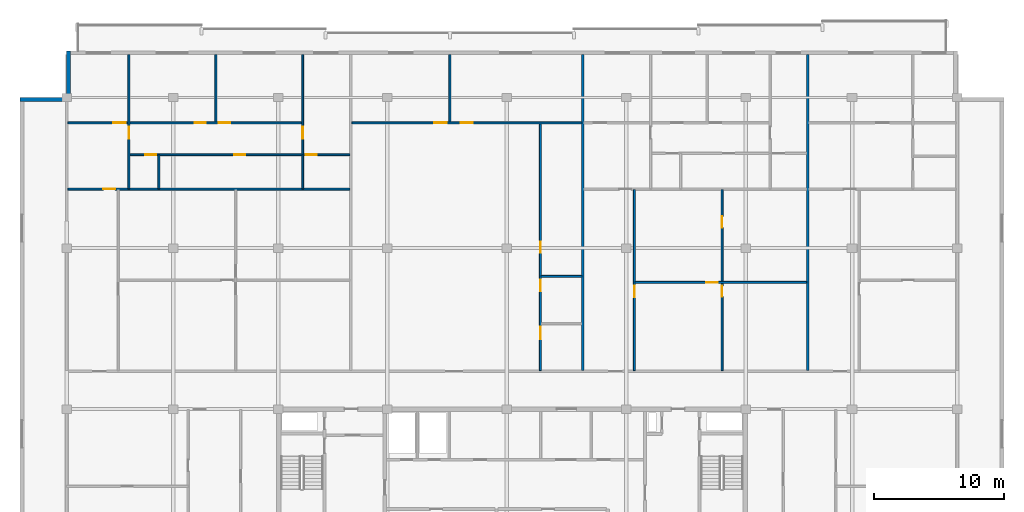
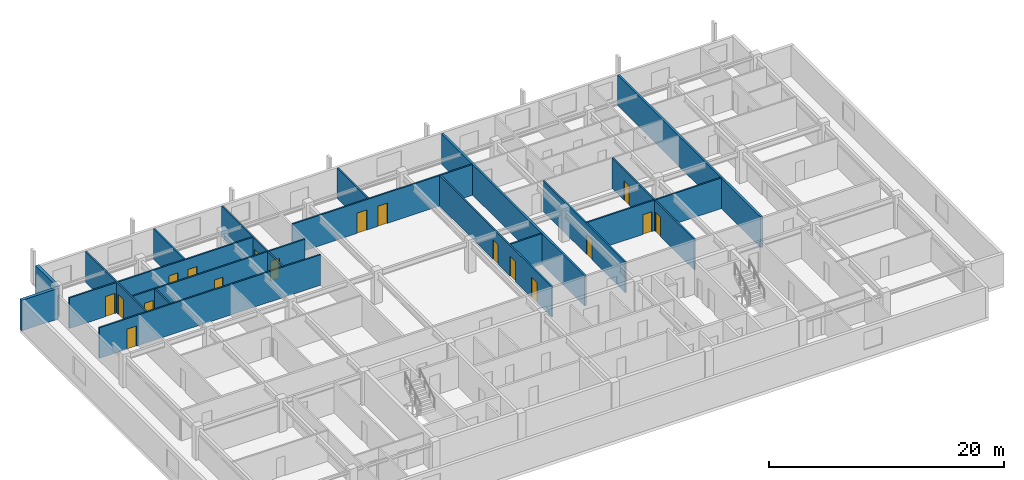
# One storey, part 6 of 10: 19 walls, 18 doors, 18 openings.
"""IFC4 building model written with IfcOpenShell, lengths in metres."""

import ifcopenshell
import ifcopenshell.guid

model = None  # the IFC model being written
_history = None  # IfcOwnerHistory: only IFC2X3 demands one
_inside = {}  # id of a spatial element -> (the spatial element, [elements in it])
_under = {}  # id of a project, library or spatial element -> (it, [spatial elements below it])
_declared = {}  # id of a project -> (the project, [libraries it declares])
_typed = {}  # id of a type object -> (the type object, [elements of that type])
_made_of = {}  # id of a material, layer set ... -> (it, [elements and type objects made of it])


def new_model(schema):
    """Start an empty IFC model of exactly this schema.

    Asked for "IFC4X3", IfcOpenShell would pick the latest addendum, in which some entities
    have other attributes; the version numbers below select the first issue.
    IFC2X3 requires an IfcOwnerHistory on every rooted entity: one is made here for all.
    """
    global model, _history
    if schema == "IFC4X3":
        model = ifcopenshell.file(schema_version=(4, 3, 0, 0))
    else:
        model = ifcopenshell.file(schema=schema)
    _inside.clear()
    _under.clear()
    _declared.clear()
    _typed.clear()
    _made_of.clear()
    _history = None
    if model.schema == "IFC2X3":
        org = make("IfcOrganization", Name="unknown")
        user = make(
            "IfcPersonAndOrganization",
            ThePerson=make("IfcPerson", FamilyName="unknown"),
            TheOrganization=org,
        )
        app = make(
            "IfcApplication",
            ApplicationDeveloper=org,
            Version="unknown",
            ApplicationFullName="unknown",
            ApplicationIdentifier="unknown",
        )
        _history = make(
            "IfcOwnerHistory",
            OwningUser=user,
            OwningApplication=app,
            ChangeAction="ADDED",
            CreationDate=0,
        )
    return model


def make(cls, **values):
    """One entity of the class cls with the attributes given. An attribute that is None is left unset."""
    return model.create_entity(
        cls, **{name: value for name, value in values.items() if value is not None}
    )


def rooted(cls, **values):
    """An entity with a GlobalId (a new one), such as an element, a storey or a relation."""
    return make(cls, GlobalId=ifcopenshell.guid.new(), OwnerHistory=_history, **values)


def si_unit(unit_type, name, prefix=None):
    """IfcSIUnit, for example si_unit("LENGTHUNIT", "METRE", prefix="MILLI")."""
    return make("IfcSIUnit", UnitType=unit_type, Prefix=prefix, Name=name)


def assignment(units):
    """IfcUnitAssignment: the units of a project."""
    return None if units is None else make("IfcUnitAssignment", Units=units)


def point(xyz):
    """IfcCartesianPoint."""
    return None if xyz is None else make("IfcCartesianPoint", Coordinates=xyz)


def direction(xyz):
    """IfcDirection."""
    return None if xyz is None else make("IfcDirection", DirectionRatios=xyz)


def frame(location, z_axis=None, x_axis=None):
    """IfcAxis2Placement3D, a coordinate frame: its origin and axes. An axis left out is left unset."""
    return make(
        "IfcAxis2Placement3D",
        Location=point(location),
        Axis=direction(z_axis),
        RefDirection=direction(x_axis),
    )


def frame_2d(location, x_axis=None):
    """IfcAxis2Placement2D, a coordinate frame in the plane: its origin and x axis."""
    return make(
        "IfcAxis2Placement2D", Location=point(location), RefDirection=direction(x_axis)
    )


def origin():
    """The frame at (0, 0, 0) with its axes left unset."""
    return frame((0.0, 0.0, 0.0))


def place(relative_to, where):
    """IfcLocalPlacement: puts the frame where relative to a parent placement (None: the world)."""
    return make(
        "IfcLocalPlacement", PlacementRelTo=relative_to, RelativePlacement=where
    )


def context(
    kind, dimensions, precision=None, world=None, true_north=None, identifier=None
):
    """IfcGeometricRepresentationContext, for example the 3D "Model" context."""
    return make(
        "IfcGeometricRepresentationContext",
        ContextIdentifier=identifier,
        ContextType=kind,
        CoordinateSpaceDimension=dimensions,
        Precision=precision,
        WorldCoordinateSystem=world,
        TrueNorth=true_north,
    )


def subcontext(parent, identifier, kind, view, scale=None):
    """IfcGeometricRepresentationSubContext, for example "Body" below "Model"."""
    return make(
        "IfcGeometricRepresentationSubContext",
        ContextIdentifier=identifier,
        ContextType=kind,
        ParentContext=parent,
        TargetScale=scale,
        TargetView=view,
    )


def project(units=None, contexts=None):
    """IfcProject with its units and contexts."""
    return rooted(
        "IfcProject",
        Name="project",
        RepresentationContexts=contexts,
        UnitsInContext=assignment(units),
    )


def spatial(cls, under=None, at=None, **own):
    """A site, building, storey or space (cls), placed at a placement, below another one or the project."""
    s = rooted(cls, ObjectPlacement=at, **own)
    if under is not None:
        _under.setdefault(under.id(), (under, []))[1].append(s)
    return s


def profile(cls, at=None, kind="AREA", **sizes):
    """A parametric profile (cls). Its sizes go by their IFC names, for example OverallWidth=200.0."""
    return make(cls, ProfileType=kind, Position=at, **sizes)


def rectangle(**sizes):
    """IfcRectangleProfileDef."""
    return profile("IfcRectangleProfileDef", **sizes)


def extrude(swept, where, along, depth):
    """IfcExtrudedAreaSolid: the profile swept, set in the frame where, extruded along a direction by depth."""
    return make(
        "IfcExtrudedAreaSolid",
        SweptArea=swept,
        Position=where,
        ExtrudedDirection=direction(along),
        Depth=depth,
    )


def shape(context_of_items, identifier, shape_type, items):
    """IfcShapeRepresentation: the items that make up one representation, for example the "Body"."""
    return make(
        "IfcShapeRepresentation",
        ContextOfItems=context_of_items,
        RepresentationIdentifier=identifier,
        RepresentationType=shape_type,
        Items=items,
    )


def material(Name=None, Category=None):
    """IfcMaterial."""
    return make("IfcMaterial", Name=Name, Category=Category)


def layer(
    of_material, thickness, ventilated=None, Name=None, Category=None, Priority=None
):
    """IfcMaterialLayer: one layer of a wall or slab, of a material (None: an air gap)."""
    return make(
        "IfcMaterialLayer",
        Material=of_material,
        LayerThickness=thickness,
        IsVentilated=ventilated,
        Name=Name,
        Category=Category,
        Priority=Priority,
    )


def layer_set(layers, Name=None):
    """IfcMaterialLayerSet."""
    return make("IfcMaterialLayerSet", MaterialLayers=layers, LayerSetName=Name)


def made_of(thing, what):
    """Note that an element or type object is made of a material, layer set ...; save() writes the relation."""
    if what is not None:
        _made_of.setdefault(what.id(), (what, []))[1].append(thing)
    return thing


def type_object(cls, material=None, **own):
    """A type object (cls), such as IfcWallType, which elements share."""
    return made_of(rooted(cls, **own), material)


def element(
    cls,
    number,
    at=None,
    inside=None,
    cuts=None,
    type_object=None,
    material=None,
    context=None,
    identifier="Body",
    shape_type=None,
    held_by="IfcProductDefinitionShape",
    body=None,
    shapes=None,
    **own,
):
    """One element of the class cls, such as IfcWall. Its Tag is "e" and its number.

    at: its placement. inside: the storey or other place that contains it. cuts: it is an
    opening in that element (IfcRelVoidsElement). A single representation is given by context,
    identifier, shape_type and body (its items); several are given by shapes. held_by: the class
    of the entity that holds the representations. save() writes the other relations.
    """
    e = rooted(cls, Tag="e%d" % number, ObjectPlacement=at, **own)
    if body is not None:
        shapes = [shape(context, identifier, shape_type, body)]
    if shapes is not None:
        e.Representation = make(held_by, Representations=shapes)
    if inside is not None:
        _inside.setdefault(inside.id(), (inside, []))[1].append(e)
    if cuts is not None:
        rooted(
            "IfcRelVoidsElement", RelatingBuildingElement=cuts, RelatedOpeningElement=e
        )
    if type_object is not None:
        _typed.setdefault(type_object.id(), (type_object, []))[1].append(e)
    return made_of(e, material)


def fill(opening, filler):
    """IfcRelFillsElement: the door or window that sits in an opening."""
    return rooted(
        "IfcRelFillsElement",
        RelatingOpeningElement=opening,
        RelatedBuildingElement=filler,
    )


def aggregate(whole, parts):
    """IfcRelAggregates: a whole, such as a stair, and the parts it consists of."""
    return rooted("IfcRelAggregates", RelatingObject=whole, RelatedObjects=parts)


def save(model, path):
    """Write the relations noted so far, then the file.

    IfcRelAggregates (storeys below a building ...), IfcRelContainedInSpatialStructure (elements
    in a storey), IfcRelDefinesByType, IfcRelAssociatesMaterial and IfcRelDeclares: one each for
    every whole, place, type object, material and project.
    """
    for whole, parts in _under.values():
        aggregate(whole, parts)
    for where, things in _inside.values():
        rooted(
            "IfcRelContainedInSpatialStructure",
            RelatedElements=things,
            RelatingStructure=where,
        )
    for kind, things in _typed.values():
        rooted("IfcRelDefinesByType", RelatedObjects=things, RelatingType=kind)
    for what, things in _made_of.values():
        rooted("IfcRelAssociatesMaterial", RelatedObjects=things, RelatingMaterial=what)
    for by, libraries in _declared.values():
        rooted("IfcRelDeclares", RelatingContext=by, RelatedDefinitions=libraries)
    model.write(path)


model = new_model("IFC4")

# Units and contexts
model_context = context("Model", 3, precision=1e-05, world=origin(), true_north=direction((0.0, 1.0)))
body_context = subcontext(model_context, "Body", "Model", "MODEL_VIEW")
ifc_project = project(units=[si_unit("LENGTHUNIT", "METRE"), si_unit("AREAUNIT", "SQUARE_METRE"), si_unit("VOLUMEUNIT", "CUBIC_METRE"), si_unit("PLANEANGLEUNIT", "RADIAN"), si_unit("MASSUNIT", "GRAM", prefix="KILO")], contexts=[model_context])

# Site, building, storey
site_placement = place(None, origin())
site = spatial("IfcSite", under=ifc_project, at=site_placement, CompositionType="ELEMENT")
building_placement = place(site_placement, origin())
building = spatial("IfcBuilding", under=site, at=building_placement, Name="Korimba Cascade Residences", CompositionType="ELEMENT")
storey_placement = place(building_placement, frame((0.0, 0.0, 228.64990234375)))
storey = spatial("IfcBuildingStorey", under=building, at=storey_placement, Name="L66", CompositionType="ELEMENT", Elevation=228.64990234375)

# Walls
ifc_material_1 = material(Name="Precast concrete C40/50", Category="concrete")
ifc_layer_1 = layer(ifc_material_1, 0.300048828125)
ifc_layer_set_1 = layer_set([ifc_layer_1], Name="Precast concrete C40/50")
wall_type_1 = type_object("IfcWallType", Name="EW-STONE-300", PredefinedType="STANDARD", material=ifc_layer_set_1)
for number, where, z_axis, x_axis, name in (
    (1, (59.949951171875, 94.800048828125, 0.0), (0.0, 0.0, 1.0), (0.0, -1.0, 0.0), "L66 T1 Perimeter Stone Wall E07"),
    (2, (59.800048828125, 91.050048828125, 0.0), (0.0, 0.0, 1.0), (-1.0, 0.0, 0.0), "L66 T1 Perimeter Stone Wall E08"),
):
    element("IfcWall", number, at=place(storey_placement, frame(where, z_axis=z_axis, x_axis=x_axis)), inside=storey, type_object=wall_type_1, Name=name, PredefinedType="STANDARD", context=body_context, shape_type="SweptSolid", body=[
        extrude(rectangle(XDim=3.60009765625, YDim=0.300048828125, at=frame_2d((1.800048828125, 0.0))), origin(), (0.0, 0.0, 1.0), 3.170166015625),
    ])
ifc_layer_2 = layer(ifc_material_1, 0.199951171875)
ifc_layer_set_2 = layer_set([ifc_layer_2], Name="Precast concrete C40/50")
wall_type_2 = type_object("IfcWallType", Name="WAL-IT-200", PredefinedType="PARTITIONING", material=ifc_layer_set_2)
for number, where, z_axis, x_axis, name in (
    (3, (99.5556640625, 70.179931640625, 0.0), (0.0, 0.0, 1.0), (0.0, 1.0, 0.0), "L66 Partition Wall WAL-L66-T1-DEM-2"),
    (4, (116.86962890625, 70.179931640625, 0.0), (0.0, 0.0, 1.0), (0.0, 1.0, 0.0), "L66 Partition Wall WAL-L66-T1-DEM-3"),
):
    element("IfcWall", number, at=place(storey_placement, frame(where, z_axis=z_axis, x_axis=x_axis)), inside=storey, type_object=wall_type_2, Name=name, PredefinedType="PARTITIONING", context=body_context, shape_type="SweptSolid", body=[
        extrude(rectangle(XDim=24.320068359375, YDim=0.199951171875, at=frame_2d((12.16015625, 0.0))), origin(), (0.0, 0.0, 1.0), 3.170166015625),
    ])
ifc_material_2 = material(Name="Insulated Acoustic Stud Partition", Category="gypsum")
ifc_layer_3 = layer(ifc_material_2, 0.14990234375)
ifc_layer_set_3 = layer_set([ifc_layer_3], Name="Insulated Acoustic Stud Partition")
wall_type_3 = type_object("IfcWallType", Name="WAL-PART-150", PredefinedType="PARTITIONING", material=ifc_layer_set_3)
wall_1_placement = place(storey_placement, frame((66.89990234375, 84.18994140625, 0.0), z_axis=(0.0, 0.0, 1.0), x_axis=(0.0, 1.0, 0.0)))
element("IfcWall", 5, at=wall_1_placement, inside=storey, type_object=wall_type_3, Name="L66 Partition Wall WAL-L66-T1-U01-VDRS", PredefinedType="PARTITIONING", context=body_context, shape_type="SweptSolid", body=[
    extrude(rectangle(XDim=2.580078125, YDim=0.14990234375, at=frame_2d((1.2900390625, 0.0))), origin(), (0.0, 0.0, 1.0), 3.170166015625),
])
wall_2_placement = place(storey_placement, frame((71.284912109375, 89.330078125, 0.0), z_axis=(0.0, 0.0, 1.0), x_axis=(0.0, 1.0, 0.0)))
element("IfcWall", 6, at=wall_2_placement, inside=storey, type_object=wall_type_3, Name="L66 Partition Wall WAL-L66-T1-U01-VB3", PredefinedType="PARTITIONING", context=body_context, shape_type="SweptSolid", body=[
    extrude(rectangle(XDim=5.169921875, YDim=0.14990234375, at=frame_2d((2.5849609375, 0.0))), origin(), (0.0, 0.0, 1.0), 3.170166015625),
])

# Wall, opening, door
wall_3_placement = place(storey_placement, frame((64.590087890625, 84.18994140625, 0.0), z_axis=(0.0, 0.0, 1.0), x_axis=(0.0, 1.0, 0.0)))
wall_3 = element("IfcWall", 7, at=wall_3_placement, inside=storey, type_object=wall_type_3, Name="L66 Partition Wall WAL-L66-T1-U01-V1", PredefinedType="PARTITIONING", context=body_context, shape_type="SweptSolid", body=[
    extrude(rectangle(XDim=10.31005859375, YDim=0.14990234375, at=frame_2d((5.155029296875, 0.0))), origin(), (0.0, 0.0, 1.0), 3.170166015625),
])
opening_1_placement = place(wall_3_placement, frame((3.820068359375, 0.0, 0.0)))
opening_1 = element("IfcOpeningElement", 8, at=opening_1_placement, cuts=wall_3, Name="Opening D-IN1", PredefinedType="OPENING", context=body_context, shape_type="SweptSolid", body=[
    extrude(rectangle(XDim=0.919921875, YDim=2.080078125, at=frame_2d((0.4599609375, 1.0400390625))), frame((0.0, 0.0849609375, 0.0), z_axis=(0.0, -1.0, 0.0), x_axis=(1.0, 0.0, 0.0)), (0.0, 0.0, 1.0), 0.169921875),
])
ifc_material_3 = material(Name="Acoustic Timber Living Door", Category="wood")
door_type_1 = type_object("IfcDoorType", Name="DR-INT-920", OperationType="NOTDEFINED", PredefinedType="DOOR", material=ifc_material_3)
door_1_placement = place(opening_1_placement, origin())
door_1 = element("IfcDoor", 9, at=door_1_placement, inside=storey, type_object=door_type_1, Name="L66-T1-U01 Hallway Door", OperationType="SINGLE_SWING_LEFT", OverallHeight=2.080078125, OverallWidth=0.919921875, PredefinedType="DOOR", context=body_context, shape_type="SweptSolid", body=[
    extrude(rectangle(XDim=0.919921875, YDim=2.080078125, at=frame_2d((0.4599609375, 1.0400390625))), frame((0.0, 0.02490234375, 0.0), z_axis=(0.0, -1.0, 0.0), x_axis=(1.0, 0.0, 0.0)), (0.0, 0.0, 1.0), 0.050048828125),
])
fill(opening_1, door_1)

# Wall
wall_4_placement = place(storey_placement, frame((77.97998046875, 84.18994140625, 0.0), z_axis=(0.0, 0.0, 1.0), x_axis=(0.0, 1.0, 0.0)))
element("IfcWall", 10, at=wall_4_placement, inside=storey, type_object=wall_type_3, Name="L66 Partition Wall WAL-L66-T1-U01-VBATH", PredefinedType="PARTITIONING", context=body_context, shape_type="SweptSolid", body=[
    extrude(rectangle(XDim=2.580078125, YDim=0.14990234375, at=frame_2d((1.2900390625, 0.0))), origin(), (0.0, 0.0, 1.0), 3.170166015625),
])

# Wall, opening, door
wall_5_placement = place(storey_placement, frame((77.97998046875, 86.81005859375, 0.0), z_axis=(0.0, 0.0, 1.0), x_axis=(0.0, 1.0, 0.0)))
wall_5 = element("IfcWall", 11, at=wall_5_placement, inside=storey, type_object=wall_type_3, Name="L66 Partition Wall WAL-L66-T1-U01-V2FULL", PredefinedType="PARTITIONING", context=body_context, shape_type="SweptSolid", body=[
    extrude(rectangle(XDim=7.68994140625, YDim=0.14990234375, at=frame_2d((3.844970703125, 0.0))), origin(), (0.0, 0.0, 1.0), 3.170166015625),
])
opening_2_placement = place(wall_5_placement, frame((1.199951171875, 0.0, 0.0)))
opening_2 = element("IfcOpeningElement", 12, at=opening_2_placement, cuts=wall_5, Name="Opening D-IN1", PredefinedType="OPENING", context=body_context, shape_type="SweptSolid", body=[
    extrude(rectangle(XDim=0.919921875, YDim=2.080078125, at=frame_2d((0.4599609375, 1.0400390625))), frame((0.0, 0.0849609375, 0.0), z_axis=(0.0, -1.0, 0.0), x_axis=(1.0, 0.0, 0.0)), (0.0, 0.0, 1.0), 0.169921875),
])
door_2_placement = place(opening_2_placement, origin())
door_2 = element("IfcDoor", 13, at=door_2_placement, inside=storey, type_object=door_type_1, Name="L66-T1-U01 Master Bedroom Door", OperationType="SINGLE_SWING_RIGHT", OverallHeight=2.080078125, OverallWidth=0.919921875, PredefinedType="DOOR", context=body_context, shape_type="SweptSolid", body=[
    extrude(rectangle(XDim=0.919921875, YDim=2.080078125, at=frame_2d((0.4599609375, 1.0400390625))), frame((0.0, 0.02490234375, 0.0), z_axis=(0.0, -1.0, 0.0), x_axis=(1.0, 0.0, 0.0)), (0.0, 0.0, 1.0), 0.050048828125),
])
fill(opening_2, door_2)

# Wall, openings, doors
wall_6_placement = place(storey_placement, frame((64.6298828125, 86.7900390625, 0.0), z_axis=(0.0, 0.0, 1.0), x_axis=(1.0, 0.0, 0.0)))
wall_6 = element("IfcWall", 14, at=wall_6_placement, inside=storey, type_object=wall_type_3, Name="L66 Partition Wall WAL-L66-T1-U01-HWALL", PredefinedType="PARTITIONING", context=body_context, shape_type="SweptSolid", body=[
    extrude(rectangle(XDim=16.9775390625, YDim=0.14990234375, at=frame_2d((8.48876953125, 0.0))), origin(), (0.0, 0.0, 1.0), 3.170166015625),
])
opening_3_placement = place(wall_6_placement, frame((1.2099609375, 0.0, 0.0)))
opening_3 = element("IfcOpeningElement", 15, at=opening_3_placement, cuts=wall_6, Name="Opening D-BT1", PredefinedType="OPENING", context=body_context, shape_type="SweptSolid", body=[
    extrude(rectangle(XDim=0.840087890625, YDim=2.0400390625, at=frame_2d((0.419921875, 1.02001953125))), frame((0.0, 0.0849609375, 0.0), z_axis=(0.0, -1.0, 0.0), x_axis=(1.0, 0.0, 0.0)), (0.0, 0.0, 1.0), 0.169921875),
])
opening_4_placement = place(wall_6_placement, frame((8.068603515625, 0.0, 0.0)))
opening_4 = element("IfcOpeningElement", 16, at=opening_4_placement, cuts=wall_6, Name="Opening D-BT1", PredefinedType="OPENING", context=body_context, shape_type="SweptSolid", body=[
    extrude(rectangle(XDim=0.840087890625, YDim=2.0400390625, at=frame_2d((0.419921875, 1.02001953125))), frame((0.0, 0.0849609375, 0.0), z_axis=(0.0, -1.0, 0.0), x_axis=(1.0, 0.0, 0.0)), (0.0, 0.0, 1.0), 0.169921875),
])
opening_5_placement = place(wall_6_placement, frame((13.60009765625, 0.0, 0.0)))
opening_5 = element("IfcOpeningElement", 17, at=opening_5_placement, cuts=wall_6, Name="Opening D-BT1", PredefinedType="OPENING", context=body_context, shape_type="SweptSolid", body=[
    extrude(rectangle(XDim=0.840087890625, YDim=2.0400390625, at=frame_2d((0.419921875, 1.02001953125))), frame((0.0, 0.0849609375, 0.0), z_axis=(0.0, -1.0, 0.0), x_axis=(1.0, 0.0, 0.0)), (0.0, 0.0, 1.0), 0.169921875),
])
ifc_material_4 = material(Name="Moisture-Resistant Bathroom Timber Door", Category="wood")
door_type_2 = type_object("IfcDoorType", Name="DR-INT-850", OperationType="NOTDEFINED", PredefinedType="DOOR", material=ifc_material_4)
door_3_placement = place(opening_3_placement, origin())
door_3 = element("IfcDoor", 18, at=door_3_placement, inside=storey, type_object=door_type_2, Name="L66-T1-U01 Family Bathroom Door", OperationType="SINGLE_SWING_LEFT", OverallHeight=2.0400390625, OverallWidth=0.840087890625, PredefinedType="DOOR", context=body_context, shape_type="SweptSolid", body=[
    extrude(rectangle(XDim=0.840087890625, YDim=2.0400390625, at=frame_2d((0.419921875, 1.02001953125))), frame((0.0, 0.02490234375, 0.0), z_axis=(0.0, -1.0, 0.0), x_axis=(1.0, 0.0, 0.0)), (0.0, 0.0, 1.0), 0.050048828125),
])
fill(opening_3, door_3)
door_4_placement = place(opening_4_placement, origin())
door_4 = element("IfcDoor", 19, at=door_4_placement, inside=storey, type_object=door_type_2, Name="L66-T1-U01 Dressing Room Door", OperationType="SINGLE_SWING_RIGHT", OverallHeight=2.0400390625, OverallWidth=0.840087890625, PredefinedType="DOOR", context=body_context, shape_type="SweptSolid", body=[
    extrude(rectangle(XDim=0.840087890625, YDim=2.0400390625, at=frame_2d((0.419921875, 1.02001953125))), frame((0.0, 0.02490234375, 0.0), z_axis=(0.0, -1.0, 0.0), x_axis=(1.0, 0.0, 0.0)), (0.0, 0.0, 1.0), 0.050048828125),
])
fill(opening_4, door_4)
door_5_placement = place(opening_5_placement, origin())
door_5 = element("IfcDoor", 20, at=door_5_placement, inside=storey, type_object=door_type_2, Name="L66-T1-U01 En-Suite Door", OperationType="SINGLE_SWING_LEFT", OverallHeight=2.0400390625, OverallWidth=0.840087890625, PredefinedType="DOOR", context=body_context, shape_type="SweptSolid", body=[
    extrude(rectangle(XDim=0.840087890625, YDim=2.0400390625, at=frame_2d((0.419921875, 1.02001953125))), frame((0.0, 0.02490234375, 0.0), z_axis=(0.0, -1.0, 0.0), x_axis=(1.0, 0.0, 0.0)), (0.0, 0.0, 1.0), 0.050048828125),
])
fill(opening_5, door_5)

# Wall, opening, door
wall_7_placement = place(storey_placement, frame((59.8798828125, 84.14990234375, 0.0), z_axis=(0.0, 0.0, 1.0), x_axis=(1.0, 0.0, 0.0)))
wall_7 = element("IfcWall", 21, at=wall_7_placement, inside=storey, type_object=wall_type_3, Name="L66 Partition Wall WAL-L66-T1-U01-MW", PredefinedType="PARTITIONING", context=body_context, shape_type="SweptSolid", body=[
    extrude(rectangle(XDim=21.7275390625, YDim=0.14990234375, at=frame_2d((10.86376953125, 0.0))), origin(), (0.0, 0.0, 1.0), 3.170166015625),
])
opening_6_placement = place(wall_7_placement, frame((2.719970703125, 0.0, 0.0)))
opening_6 = element("IfcOpeningElement", 22, at=opening_6_placement, cuts=wall_7, Name="Opening D-IN1", PredefinedType="OPENING", context=body_context, shape_type="SweptSolid", body=[
    extrude(rectangle(XDim=0.919921875, YDim=2.080078125, at=frame_2d((0.4599609375, 1.0400390625))), frame((0.0, 0.0849609375, 0.0), z_axis=(0.0, -1.0, 0.0), x_axis=(1.0, 0.0, 0.0)), (0.0, 0.0, 1.0), 0.169921875),
])
door_6_placement = place(opening_6_placement, origin())
door_6 = element("IfcDoor", 23, at=door_6_placement, inside=storey, type_object=door_type_1, Name="L66-T1-U01 Kitchen Door", OperationType="SINGLE_SWING_RIGHT", OverallHeight=2.080078125, OverallWidth=0.919921875, PredefinedType="DOOR", context=body_context, shape_type="SweptSolid", body=[
    extrude(rectangle(XDim=0.919921875, YDim=2.080078125, at=frame_2d((0.4599609375, 1.0400390625))), frame((0.0, 0.02490234375, 0.0), z_axis=(0.0, -1.0, 0.0), x_axis=(1.0, 0.0, 0.0)), (0.0, 0.0, 1.0), 0.050048828125),
])
fill(opening_6, door_6)

# Wall, openings, doors
wall_8_placement = place(storey_placement, frame((59.8798828125, 89.25, 0.0), z_axis=(0.0, 0.0, 1.0), x_axis=(1.0, 0.0, 0.0)))
wall_8 = element("IfcWall", 24, at=wall_8_placement, inside=storey, type_object=wall_type_3, Name="L66 Partition Wall WAL-L66-T1-U01-HZ", PredefinedType="PARTITIONING", context=body_context, shape_type="SweptSolid", body=[
    extrude(rectangle(XDim=18.10009765625, YDim=0.14990234375, at=frame_2d((9.050048828125, 0.0))), origin(), (0.0, 0.0, 1.0), 3.170166015625),
])
opening_7_placement = place(wall_8_placement, frame((3.52001953125, 0.0, 0.0)))
opening_7 = element("IfcOpeningElement", 25, at=opening_7_placement, cuts=wall_8, Name="Opening D-IN0", PredefinedType="OPENING", context=body_context, shape_type="SweptSolid", body=[
    extrude(rectangle(XDim=0.93994140625, YDim=2.10009765625, at=frame_2d((0.469970703125, 1.050048828125))), frame((0.0, 0.0849609375, 0.0), z_axis=(0.0, -1.0, 0.0), x_axis=(1.0, 0.0, 0.0)), (0.0, 0.0, 1.0), 0.169921875),
])
opening_8_placement = place(wall_8_placement, frame((9.767578125, 0.0, 0.0)))
opening_8 = element("IfcOpeningElement", 26, at=opening_8_placement, cuts=wall_8, Name="Opening D-IN2", PredefinedType="OPENING", context=body_context, shape_type="SweptSolid", body=[
    extrude(rectangle(XDim=0.8798828125, YDim=2.06005859375, at=frame_2d((0.43994140625, 1.030029296875))), frame((0.0, 0.0849609375, 0.0), z_axis=(0.0, -1.0, 0.0), x_axis=(1.0, 0.0, 0.0)), (0.0, 0.0, 1.0), 0.169921875),
])
opening_9_placement = place(wall_8_placement, frame((11.625, 0.0, 0.0)))
opening_9 = element("IfcOpeningElement", 27, at=opening_9_placement, cuts=wall_8, Name="Opening D-IN2", PredefinedType="OPENING", context=body_context, shape_type="SweptSolid", body=[
    extrude(rectangle(XDim=0.8798828125, YDim=2.06005859375, at=frame_2d((0.43994140625, 1.030029296875))), frame((0.0, 0.0849609375, 0.0), z_axis=(0.0, -1.0, 0.0), x_axis=(1.0, 0.0, 0.0)), (0.0, 0.0, 1.0), 0.169921875),
])
ifc_material_5 = material(Name="Acoustic Timber Bedroom Door", Category="wood")
door_type_3 = type_object("IfcDoorType", Name="DR-INT-880", OperationType="NOTDEFINED", PredefinedType="DOOR", material=ifc_material_5)
door_7_placement = place(opening_8_placement, origin())
door_7 = element("IfcDoor", 28, at=door_7_placement, inside=storey, type_object=door_type_3, Name="L66-T1-U01 Bedroom 2 Door", OperationType="SINGLE_SWING_RIGHT", OverallHeight=2.06005859375, OverallWidth=0.8798828125, PredefinedType="DOOR", context=body_context, shape_type="SweptSolid", body=[
    extrude(rectangle(XDim=0.8798828125, YDim=2.06005859375, at=frame_2d((0.43994140625, 1.030029296875))), frame((0.0, 0.02490234375, 0.0), z_axis=(0.0, -1.0, 0.0), x_axis=(1.0, 0.0, 0.0)), (0.0, 0.0, 1.0), 0.050048828125),
])
fill(opening_8, door_7)
door_8_placement = place(opening_9_placement, origin())
door_8 = element("IfcDoor", 29, at=door_8_placement, inside=storey, type_object=door_type_3, Name="L66-T1-U01 Bedroom 3 Door", OperationType="SINGLE_SWING_LEFT", OverallHeight=2.06005859375, OverallWidth=0.8798828125, PredefinedType="DOOR", context=body_context, shape_type="SweptSolid", body=[
    extrude(rectangle(XDim=0.8798828125, YDim=2.06005859375, at=frame_2d((0.43994140625, 1.030029296875))), frame((0.0, 0.02490234375, 0.0), z_axis=(0.0, -1.0, 0.0), x_axis=(1.0, 0.0, 0.0)), (0.0, 0.0, 1.0), 0.050048828125),
])
fill(opening_9, door_8)
ifc_material_6 = material(Name="Acoustic Timber Living Archway Door", Category="wood")
door_type_4 = type_object("IfcDoorType", Name="DR-INT-950", OperationType="NOTDEFINED", PredefinedType="DOOR", material=ifc_material_6)
door_9_placement = place(opening_7_placement, origin())
door_9 = element("IfcDoor", 30, at=door_9_placement, inside=storey, type_object=door_type_4, Name="L66-T1-U01 Living Room Door", OperationType="SINGLE_SWING_LEFT", OverallHeight=2.10009765625, OverallWidth=0.93994140625, PredefinedType="DOOR", context=body_context, shape_type="SweptSolid", body=[
    extrude(rectangle(XDim=0.93994140625, YDim=2.10009765625, at=frame_2d((0.469970703125, 1.050048828125))), frame((0.0, 0.02490234375, 0.0), z_axis=(0.0, -1.0, 0.0), x_axis=(1.0, 0.0, 0.0)), (0.0, 0.0, 1.0), 0.050048828125),
])
fill(opening_7, door_9)

# Wall
wall_9_placement = place(storey_placement, frame((96.345703125, 77.419921875, 0.0), z_axis=(0.0, 0.0, 1.0), x_axis=(1.0, 0.0, 0.0)))
element("IfcWall", 31, at=wall_9_placement, inside=storey, type_object=wall_type_3, Name="L66 Partition Wall WAL-L66-T1-U02-WCH2", PredefinedType="PARTITIONING", context=body_context, shape_type="SweptSolid", body=[
    extrude(rectangle(XDim=3.1298828125, YDim=0.14990234375, at=frame_2d((1.56494140625, 0.0))), origin(), (0.0, 0.0, 1.0), 3.170166015625),
])

# Wall, openings, doors
wall_10_placement = place(storey_placement, frame((96.28564453125, 70.159912109375, 0.0), z_axis=(0.0, 0.0, 1.0), x_axis=(0.0, 1.0, 0.0)))
wall_10 = element("IfcWall", 32, at=wall_10_placement, inside=storey, type_object=wall_type_3, Name="L66 Partition Wall WAL-L66-T1-U02-WCV", PredefinedType="PARTITIONING", context=body_context, shape_type="SweptSolid", body=[
    extrude(rectangle(XDim=19.030029296875, YDim=0.14990234375, at=frame_2d((9.51513671875, 0.0))), origin(), (0.0, 0.0, 1.0), 3.170166015625),
])
opening_10_placement = place(wall_10_placement, frame((2.406005859375, 0.0, 0.0)))
opening_10 = element("IfcOpeningElement", 33, at=opening_10_placement, cuts=wall_10, Name="Opening D-AC1", PredefinedType="OPENING", context=body_context, shape_type="SweptSolid", body=[
    extrude(rectangle(XDim=0.9599609375, YDim=2.10009765625, at=frame_2d((0.47998046875, 1.050048828125))), frame((0.0, 0.0849609375, 0.0), z_axis=(0.0, -1.0, 0.0), x_axis=(1.0, 0.0, 0.0)), (0.0, 0.0, 1.0), 0.169921875),
])
opening_11_placement = place(wall_10_placement, frame((6.132568359375, 0.0, 0.0)))
opening_11 = element("IfcOpeningElement", 34, at=opening_11_placement, cuts=wall_10, Name="Opening D-IN2", PredefinedType="OPENING", context=body_context, shape_type="SweptSolid", body=[
    extrude(rectangle(XDim=0.8798828125, YDim=2.06005859375, at=frame_2d((0.43994140625, 1.030029296875))), frame((0.0, 0.0849609375, 0.0), z_axis=(0.0, -1.0, 0.0), x_axis=(1.0, 0.0, 0.0)), (0.0, 0.0, 1.0), 0.169921875),
])
opening_12_placement = place(wall_10_placement, frame((9.094970703125, 0.0, 0.0)))
opening_12 = element("IfcOpeningElement", 35, at=opening_12_placement, cuts=wall_10, Name="Opening D-BT1", PredefinedType="OPENING", context=body_context, shape_type="SweptSolid", body=[
    extrude(rectangle(XDim=0.840087890625, YDim=2.0400390625, at=frame_2d((0.419921875, 1.02001953125))), frame((0.0, 0.0849609375, 0.0), z_axis=(0.0, -1.0, 0.0), x_axis=(1.0, 0.0, 0.0)), (0.0, 0.0, 1.0), 0.169921875),
])
ifc_material_7 = material(Name="Accessible Acoustic Timber WC Door", Category="wood")
door_type_5 = type_object("IfcDoorType", Name="DR-ACC-950", OperationType="NOTDEFINED", PredefinedType="DOOR", material=ifc_material_7)
door_10_placement = place(opening_10_placement, origin())
door_10 = element("IfcDoor", 36, at=door_10_placement, inside=storey, type_object=door_type_5, Name="L66-T1-U02 Accessible WC Door", OperationType="SINGLE_SWING_RIGHT", OverallHeight=2.10009765625, OverallWidth=0.9599609375, PredefinedType="DOOR", context=body_context, shape_type="SweptSolid", body=[
    extrude(rectangle(XDim=0.9599609375, YDim=2.10009765625, at=frame_2d((0.47998046875, 1.050048828125))), frame((0.0, 0.02490234375, 0.0), z_axis=(0.0, -1.0, 0.0), x_axis=(1.0, 0.0, 0.0)), (0.0, 0.0, 1.0), 0.050048828125),
])
fill(opening_10, door_10)
door_11_placement = place(opening_12_placement, origin())
door_11 = element("IfcDoor", 37, at=door_11_placement, inside=storey, type_object=door_type_2, Name="L66-T1-U02 Suite Store Door", OperationType="SINGLE_SWING_RIGHT", OverallHeight=2.0400390625, OverallWidth=0.840087890625, PredefinedType="DOOR", context=body_context, shape_type="SweptSolid", body=[
    extrude(rectangle(XDim=0.840087890625, YDim=2.0400390625, at=frame_2d((0.419921875, 1.02001953125))), frame((0.0, 0.02490234375, 0.0), z_axis=(0.0, -1.0, 0.0), x_axis=(1.0, 0.0, 0.0)), (0.0, 0.0, 1.0), 0.050048828125),
])
fill(opening_12, door_11)
door_12_placement = place(opening_11_placement, origin())
door_12 = element("IfcDoor", 38, at=door_12_placement, inside=storey, type_object=door_type_3, Name="L66-T1-U02 Restroom WC Door", OperationType="SINGLE_SWING_LEFT", OverallHeight=2.06005859375, OverallWidth=0.8798828125, PredefinedType="DOOR", context=body_context, shape_type="SweptSolid", body=[
    extrude(rectangle(XDim=0.8798828125, YDim=2.06005859375, at=frame_2d((0.43994140625, 1.030029296875))), frame((0.0, 0.02490234375, 0.0), z_axis=(0.0, -1.0, 0.0), x_axis=(1.0, 0.0, 0.0)), (0.0, 0.0, 1.0), 0.050048828125),
])
fill(opening_11, door_12)

# Wall
wall_11_placement = place(storey_placement, frame((89.31640625, 89.330078125, 0.0), z_axis=(0.0, 0.0, 1.0), x_axis=(0.0, 1.0, 0.0)))
element("IfcWall", 39, at=wall_11_placement, inside=storey, type_object=wall_type_3, Name="L66 Partition Wall WAL-L66-T1-U02-OUTV", PredefinedType="PARTITIONING", context=body_context, shape_type="SweptSolid", body=[
    extrude(rectangle(XDim=5.169921875, YDim=0.14990234375, at=frame_2d((2.5849609375, 0.0))), origin(), (0.0, 0.0, 1.0), 3.170166015625),
])

# Wall, openings, doors
wall_12_placement = place(storey_placement, frame((81.767333984375, 89.25, 0.0), z_axis=(0.0, 0.0, 1.0), x_axis=(1.0, 0.0, 0.0)))
wall_12 = element("IfcWall", 40, at=wall_12_placement, inside=storey, type_object=wall_type_3, Name="L66 Partition Wall WAL-L66-T1-U02-HZ", PredefinedType="PARTITIONING", context=body_context, shape_type="SweptSolid", body=[
    extrude(rectangle(XDim=17.708251953125, YDim=0.14990234375, at=frame_2d((8.85400390625, 0.0))), origin(), (0.0, 0.0, 1.0), 3.170166015625),
])
opening_13_placement = place(wall_12_placement, frame((6.359130859375, 0.0, 0.0)))
opening_13 = element("IfcOpeningElement", 41, at=opening_13_placement, cuts=wall_12, Name="Opening D-IN0", PredefinedType="OPENING", context=body_context, shape_type="SweptSolid", body=[
    extrude(rectangle(XDim=0.93994140625, YDim=2.10009765625, at=frame_2d((0.469970703125, 1.050048828125))), frame((0.0, 0.0849609375, 0.0), z_axis=(0.0, -1.0, 0.0), x_axis=(1.0, 0.0, 0.0)), (0.0, 0.0, 1.0), 0.169921875),
])
opening_14_placement = place(wall_12_placement, frame((8.384033203125, 0.0, 0.0)))
opening_14 = element("IfcOpeningElement", 42, at=opening_14_placement, cuts=wall_12, Name="Opening D-IN0", PredefinedType="OPENING", context=body_context, shape_type="SweptSolid", body=[
    extrude(rectangle(XDim=0.93994140625, YDim=2.10009765625, at=frame_2d((0.469970703125, 1.050048828125))), frame((0.0, 0.0849609375, 0.0), z_axis=(0.0, -1.0, 0.0), x_axis=(1.0, 0.0, 0.0)), (0.0, 0.0, 1.0), 0.169921875),
])
door_13_placement = place(opening_13_placement, origin())
door_13 = element("IfcDoor", 43, at=door_13_placement, inside=storey, type_object=door_type_4, Name="L66-T1-U02 Resident Boardroom Door", OperationType="SINGLE_SWING_LEFT", OverallHeight=2.10009765625, OverallWidth=0.93994140625, PredefinedType="DOOR", context=body_context, shape_type="SweptSolid", body=[
    extrude(rectangle(XDim=0.93994140625, YDim=2.10009765625, at=frame_2d((0.469970703125, 1.050048828125))), frame((0.0, 0.02490234375, 0.0), z_axis=(0.0, -1.0, 0.0), x_axis=(1.0, 0.0, 0.0)), (0.0, 0.0, 1.0), 0.050048828125),
])
fill(opening_13, door_13)
door_14_placement = place(opening_14_placement, origin())
door_14 = element("IfcDoor", 44, at=door_14_placement, inside=storey, type_object=door_type_4, Name="L66-T1-U02 Executive Seminar Room Door", OperationType="SINGLE_SWING_RIGHT", OverallHeight=2.10009765625, OverallWidth=0.93994140625, PredefinedType="DOOR", context=body_context, shape_type="SweptSolid", body=[
    extrude(rectangle(XDim=0.93994140625, YDim=2.10009765625, at=frame_2d((0.469970703125, 1.050048828125))), frame((0.0, 0.02490234375, 0.0), z_axis=(0.0, -1.0, 0.0), x_axis=(1.0, 0.0, 0.0)), (0.0, 0.0, 1.0), 0.050048828125),
])
fill(opening_14, door_14)

wall_13_placement = place(storey_placement, frame((110.28759765625, 70.159912109375, 0.0), z_axis=(0.0, 0.0, 1.0), x_axis=(0.0, 1.0, 0.0)))
wall_13 = element("IfcWall", 45, at=wall_13_placement, inside=storey, type_object=wall_type_3, Name="L66 Partition Wall WAL-L66-T1-U03-FMV", PredefinedType="PARTITIONING", context=body_context, shape_type="SweptSolid", body=[
    extrude(rectangle(XDim=13.9501953125, YDim=0.14990234375, at=frame_2d((6.97509765625, 0.0))), origin(), (0.0, 0.0, 1.0), 3.170166015625),
])
opening_15_placement = place(wall_13_placement, frame((5.705078125, 0.0, 0.0)))
opening_15 = element("IfcOpeningElement", 46, at=opening_15_placement, cuts=wall_13, Name="Opening D-BT1", PredefinedType="OPENING", context=body_context, shape_type="SweptSolid", body=[
    extrude(rectangle(XDim=0.840087890625, YDim=2.0400390625, at=frame_2d((0.419921875, 1.02001953125))), frame((0.0, 0.0849609375, 0.0), z_axis=(0.0, -1.0, 0.0), x_axis=(1.0, 0.0, 0.0)), (0.0, 0.0, 1.0), 0.169921875),
])
opening_16_placement = place(wall_13_placement, frame((11.017578125, 0.0, 0.0)))
opening_16 = element("IfcOpeningElement", 47, at=opening_16_placement, cuts=wall_13, Name="Opening D-IN2", PredefinedType="OPENING", context=body_context, shape_type="SweptSolid", body=[
    extrude(rectangle(XDim=0.8798828125, YDim=2.06005859375, at=frame_2d((0.43994140625, 1.030029296875))), frame((0.0, 0.0849609375, 0.0), z_axis=(0.0, -1.0, 0.0), x_axis=(1.0, 0.0, 0.0)), (0.0, 0.0, 1.0), 0.169921875),
])
door_15_placement = place(opening_15_placement, origin())
door_15 = element("IfcDoor", 48, at=door_15_placement, inside=storey, type_object=door_type_2, Name="L66-T1-U03 Wardrobe Door", OperationType="SINGLE_SWING_LEFT", OverallHeight=2.0400390625, OverallWidth=0.840087890625, PredefinedType="DOOR", context=body_context, shape_type="SweptSolid", body=[
    extrude(rectangle(XDim=0.840087890625, YDim=2.0400390625, at=frame_2d((0.419921875, 1.02001953125))), frame((0.0, 0.02490234375, 0.0), z_axis=(0.0, -1.0, 0.0), x_axis=(1.0, 0.0, 0.0)), (0.0, 0.0, 1.0), 0.050048828125),
])
fill(opening_15, door_15)
door_16_placement = place(opening_16_placement, origin())
door_16 = element("IfcDoor", 49, at=door_16_placement, inside=storey, type_object=door_type_3, Name="L66-T1-U03 Music Lounge Door", OperationType="SINGLE_SWING_RIGHT", OverallHeight=2.06005859375, OverallWidth=0.8798828125, PredefinedType="DOOR", context=body_context, shape_type="SweptSolid", body=[
    extrude(rectangle(XDim=0.8798828125, YDim=2.06005859375, at=frame_2d((0.43994140625, 1.030029296875))), frame((0.0, 0.02490234375, 0.0), z_axis=(0.0, -1.0, 0.0), x_axis=(1.0, 0.0, 0.0)), (0.0, 0.0, 1.0), 0.050048828125),
])
fill(opening_16, door_16)

# Wall, opening, door
wall_14_placement = place(storey_placement, frame((103.585693359375, 76.955078125, 0.0), z_axis=(0.0, 0.0, 1.0), x_axis=(1.0, 0.0, 0.0)))
wall_14 = element("IfcWall", 50, at=wall_14_placement, inside=storey, type_object=wall_type_3, Name="L66 Partition Wall WAL-L66-T1-U03-FMH", PredefinedType="PARTITIONING", context=body_context, shape_type="SweptSolid", body=[
    extrude(rectangle(XDim=13.203857421875, YDim=0.14990234375, at=frame_2d((6.60205078125, 0.0))), origin(), (0.0, 0.0, 1.0), 3.170166015625),
])
opening_17_placement = place(wall_14_placement, frame((5.4970703125, 0.0, 0.0)))
opening_17 = element("IfcOpeningElement", 51, at=opening_17_placement, cuts=wall_14, Name="Opening D-IN2", PredefinedType="OPENING", context=body_context, shape_type="SweptSolid", body=[
    extrude(rectangle(XDim=0.8798828125, YDim=2.06005859375, at=frame_2d((0.43994140625, 1.030029296875))), frame((0.0, 0.0849609375, 0.0), z_axis=(0.0, -1.0, 0.0), x_axis=(1.0, 0.0, 0.0)), (0.0, 0.0, 1.0), 0.169921875),
])
door_17_placement = place(opening_17_placement, origin())
door_17 = element("IfcDoor", 52, at=door_17_placement, inside=storey, type_object=door_type_3, Name="L66-T1-U03 Library Salon Door", OperationType="SINGLE_SWING_LEFT", OverallHeight=2.06005859375, OverallWidth=0.8798828125, PredefinedType="DOOR", context=body_context, shape_type="SweptSolid", body=[
    extrude(rectangle(XDim=0.8798828125, YDim=2.06005859375, at=frame_2d((0.43994140625, 1.030029296875))), frame((0.0, 0.02490234375, 0.0), z_axis=(0.0, -1.0, 0.0), x_axis=(1.0, 0.0, 0.0)), (0.0, 0.0, 1.0), 0.050048828125),
])
fill(opening_17, door_17)

wall_15_placement = place(storey_placement, frame((103.525634765625, 70.159912109375, 0.0), z_axis=(0.0, 0.0, 1.0), x_axis=(0.0, 1.0, 0.0)))
wall_15 = element("IfcWall", 53, at=wall_15_placement, inside=storey, type_object=wall_type_3, Name="L66 Partition Wall WAL-L66-T1-U03-FV", PredefinedType="PARTITIONING", context=body_context, shape_type="SweptSolid", body=[
    extrude(rectangle(XDim=13.9501953125, YDim=0.14990234375, at=frame_2d((6.97509765625, 0.0))), origin(), (0.0, 0.0, 1.0), 3.170166015625),
])
opening_18_placement = place(wall_15_placement, frame((5.6650390625, 0.0, 0.0)))
opening_18 = element("IfcOpeningElement", 54, at=opening_18_placement, cuts=wall_15, Name="Opening D-IN2", PredefinedType="OPENING", context=body_context, shape_type="SweptSolid", body=[
    extrude(rectangle(XDim=0.8798828125, YDim=2.06005859375, at=frame_2d((0.43994140625, 1.030029296875))), frame((0.0, 0.0849609375, 0.0), z_axis=(0.0, -1.0, 0.0), x_axis=(1.0, 0.0, 0.0)), (0.0, 0.0, 1.0), 0.169921875),
])
door_18_placement = place(opening_18_placement, origin())
door_18 = element("IfcDoor", 55, at=door_18_placement, inside=storey, type_object=door_type_3, Name="L66-T1-U03 Media Lounge Door", OperationType="SINGLE_SWING_RIGHT", OverallHeight=2.06005859375, OverallWidth=0.8798828125, PredefinedType="DOOR", context=body_context, shape_type="SweptSolid", body=[
    extrude(rectangle(XDim=0.8798828125, YDim=2.06005859375, at=frame_2d((0.43994140625, 1.030029296875))), frame((0.0, 0.02490234375, 0.0), z_axis=(0.0, -1.0, 0.0), x_axis=(1.0, 0.0, 0.0)), (0.0, 0.0, 1.0), 0.050048828125),
])
fill(opening_18, door_18)

save(model, "model.ifc")
